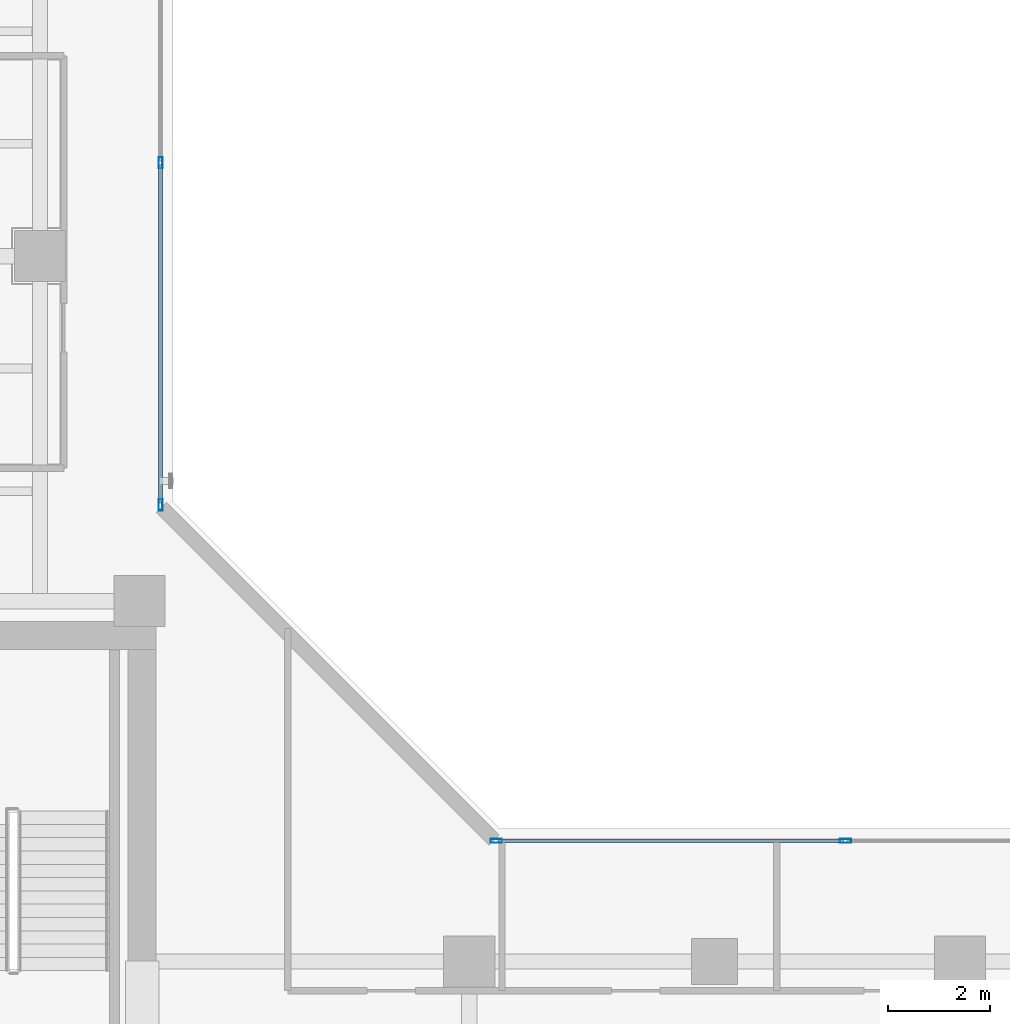
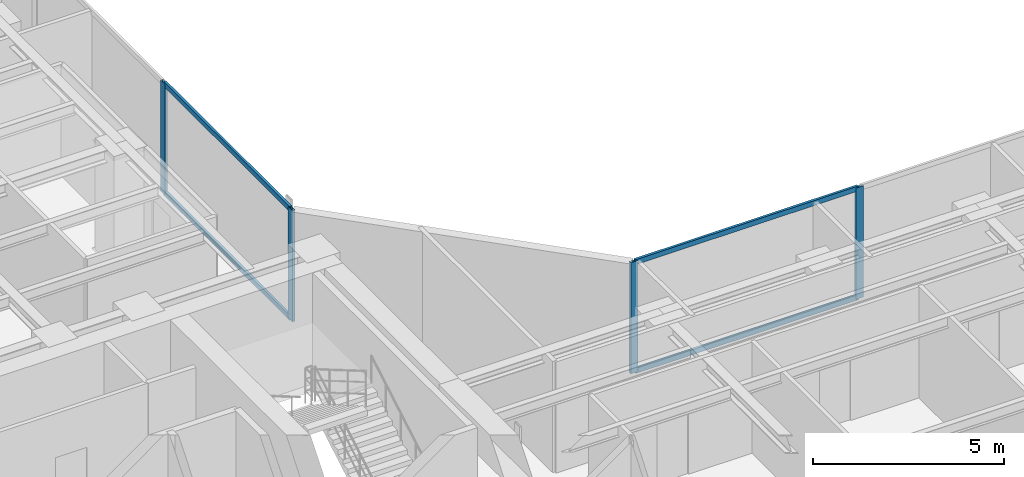
# One storey, part 10 of 23: 8 members, 2 elements without a shape of their own.
"""IFC4 building model written with IfcOpenShell, lengths in metres."""

from ifc_helpers import new_model, si_unit, direction, frame, origin, origin_with_axes, origin_2d, place, context, subcontext, project, spatial, hollow_rectangle, extrude, source, transform, mapped, material, layer, layer_set, material_profile, profile_set, type_object, element, aggregate, save


model = new_model("IFC4")

# Units and contexts
model_context = context("Model", 3, precision=1e-05, world=origin(), true_north=direction((0.0, 1.0)))
body_context = subcontext(model_context, "Body", "Model", "MODEL_VIEW")
ifc_project = project(units=[si_unit("LENGTHUNIT", "METRE"), si_unit("AREAUNIT", "SQUARE_METRE"), si_unit("VOLUMEUNIT", "CUBIC_METRE"), si_unit("PLANEANGLEUNIT", "RADIAN"), si_unit("MASSUNIT", "GRAM", prefix="KILO")], contexts=[model_context])

# Site, building, storey
site_placement = place(None, origin())
site = spatial("IfcSite", under=ifc_project, at=site_placement, CompositionType="ELEMENT")
building_placement = place(site_placement, origin())
building = spatial("IfcBuilding", under=site, at=building_placement, Name="Kolvaren Waterfront Exchange", CompositionType="ELEMENT")
storey_placement = place(building_placement, frame((0.0, 0.0, 215.89990234375)))
storey = spatial("IfcBuildingStorey", under=building, at=storey_placement, Name="L55", CompositionType="ELEMENT", Elevation=215.89990234375)

# Curtain wall, members
ifc_material_1 = material(Name="Anodised bronze aluminium 6063-T6", Category="aluminium")
ifc_layer = layer(ifc_material_1, 0.219970703125, Name="Anodised bronze aluminium 6063-T6")
ifc_layer_set = layer_set([ifc_layer], Name="Anodised bronze aluminium 6063-T6")
curtain_wall_type = type_object("IfcCurtainWallType", Name="ARC-CW-SYS1", PredefinedType="USERDEFINED", material=ifc_layer_set)
curtain_wall_1_placement = place(storey_placement, origin())
curtain_wall_1 = element("IfcCurtainWall", 1, at=curtain_wall_1_placement, inside=storey, type_object=curtain_wall_type, Name="L55 stick curtain wall CW1 (CW-L55-NE)", ObjectType="STICK CURTAIN WALL", PredefinedType="USERDEFINED")
ifc_material_2 = material(Name="Anodised aluminium 6063-T6", Category="aluminium")
ifc_material_profile_1 = material_profile(ifc_material_2, hollow_rectangle(XDim=0.080078125, YDim=0.219970703125, WallThickness=0.0048828125, at=origin_2d()), Name="ALU-MUL-220x80x5")
ifc_profile_set_1 = profile_set([ifc_material_profile_1], Name="Anodised aluminium 6063-T6")
member_type_1 = type_object("IfcMemberType", Name="ARC-CWM-220", PredefinedType="MULLION", material=ifc_profile_set_1)
shared_shape_1 = source(origin_with_axes(), body_context, "Body", "SweptSolid", [
    extrude(hollow_rectangle(XDim=0.080078125, YDim=0.219970703125, WallThickness=0.0048828125, at=origin_2d()), origin(), (0.0, 0.0, 1.0), 3.56005859375),
])
member_1_placement = place(storey_placement, frame((21.159912109375, 26.330078125, 0.0), z_axis=(0.0, 0.0, 1.0), x_axis=(-1.0, 0.0, 0.0)))
member_1 = element("IfcMember", 2, at=member_1_placement, type_object=member_type_1, Name="CW1 mullion 1", PredefinedType="MULLION", context=body_context, shape_type="MappedRepresentation", body=[
    mapped(shared_shape_1, transform((0.0, 0.0, 0.0), x_axis=(1.0, 0.0, 0.0), y_axis=(0.0, 1.0, 0.0), z_axis=(0.0, 0.0, 1.0), scale=1.0)),
])
member_2_placement = place(storey_placement, frame((21.159912109375, 33.026611328125, 0.0), z_axis=(0.0, 0.0, 1.0), x_axis=(-1.0, 0.0, 0.0)))
member_2 = element("IfcMember", 3, at=member_2_placement, type_object=member_type_1, Name="CW1 mullion 2", PredefinedType="MULLION", context=body_context, shape_type="MappedRepresentation", body=[
    mapped(shared_shape_1, transform((0.0, 0.0, 0.0), x_axis=(1.0, 0.0, 0.0), y_axis=(0.0, 1.0, 0.0), z_axis=(0.0, 0.0, 1.0), scale=1.0)),
])

curtain_wall_2_placement = place(storey_placement, origin())
curtain_wall_2 = element("IfcCurtainWall", 4, at=curtain_wall_2_placement, inside=storey, type_object=curtain_wall_type, Name="L55 stick curtain wall CW1 (CW-L55-EN)", ObjectType="STICK CURTAIN WALL", PredefinedType="USERDEFINED")
member_3_placement = place(storey_placement, frame((27.72998046875, 19.760009765625, 0.0), z_axis=(0.0, 0.0, 1.0), x_axis=(0.0, 1.0, 0.0)))
member_3 = element("IfcMember", 5, at=member_3_placement, type_object=member_type_1, Name="CW1 mullion 1", PredefinedType="MULLION", context=body_context, shape_type="MappedRepresentation", body=[
    mapped(shared_shape_1, transform((0.0, 0.0, 0.0), x_axis=(1.0, 0.0, 0.0), y_axis=(0.0, 1.0, 0.0), z_axis=(0.0, 0.0, 1.0), scale=1.0)),
])
member_4_placement = place(storey_placement, frame((34.56005859375, 19.760009765625, 0.0), z_axis=(0.0, 0.0, 1.0), x_axis=(0.0, 1.0, 0.0)))
member_4 = element("IfcMember", 6, at=member_4_placement, type_object=member_type_1, Name="CW1 mullion 2", PredefinedType="MULLION", context=body_context, shape_type="MappedRepresentation", body=[
    mapped(shared_shape_1, transform((0.0, 0.0, 0.0), x_axis=(1.0, 0.0, 0.0), y_axis=(0.0, 1.0, 0.0), z_axis=(0.0, 0.0, 1.0), scale=1.0)),
])

# Member
ifc_material_profile_2 = material_profile(ifc_material_2, hollow_rectangle(XDim=0.074951171875, YDim=0.159912109375, WallThickness=0.00439453125, at=origin_2d()), Name="ALU-TRN-160x75x4.5")
ifc_profile_set_2 = profile_set([ifc_material_profile_2], Name="Anodised aluminium 6063-T6")
member_type_2 = type_object("IfcMemberType", Name="ARC-CWT-160", PredefinedType="USERDEFINED", material=ifc_profile_set_2)
shared_shape_2 = source(origin_with_axes(), body_context, "Body", "SweptSolid", [
    extrude(hollow_rectangle(XDim=0.074951171875, YDim=0.159912109375, WallThickness=0.00439453125, at=origin_2d()), origin(), (0.0, 0.0, 1.0), 6.616455078125),
])
member_5_placement = place(storey_placement, frame((21.159912109375, 26.3701171875, 0.03759765625), z_axis=(0.0, 1.0, 0.0), x_axis=(-1.0, 0.0, 0.0)))
member_5 = element("IfcMember", 7, at=member_5_placement, type_object=member_type_2, Name="CW1 transom 1.1", ObjectType="TRANSOM", PredefinedType="USERDEFINED", context=body_context, shape_type="MappedRepresentation", body=[
    mapped(shared_shape_2, transform((0.0, 0.0, 0.0), x_axis=(1.0, 0.0, 0.0), y_axis=(0.0, 1.0, 0.0), z_axis=(0.0, 0.0, 1.0), scale=1.0)),
])

member_6_placement = place(storey_placement, frame((21.159912109375, 26.3701171875, 3.522705078125), z_axis=(0.0, 1.0, 0.0), x_axis=(-1.0, 0.0, 0.0)))
member_6 = element("IfcMember", 8, at=member_6_placement, type_object=member_type_2, Name="CW1 transom 1.2", ObjectType="TRANSOM", PredefinedType="USERDEFINED", context=body_context, shape_type="MappedRepresentation", body=[
    mapped(shared_shape_2, transform((0.0, 0.0, 0.0), x_axis=(1.0, 0.0, 0.0), y_axis=(0.0, 1.0, 0.0), z_axis=(0.0, 0.0, 1.0), scale=1.0)),
])

aggregate(curtain_wall_1, [member_1, member_2, member_5, member_6])

shared_shape_3 = source(origin_with_axes(), body_context, "Body", "SweptSolid", [
    extrude(hollow_rectangle(XDim=0.074951171875, YDim=0.159912109375, WallThickness=0.00439453125, at=origin_2d()), origin(), (0.0, 0.0, 1.0), 6.75),
])
member_7_placement = place(storey_placement, frame((27.77001953125, 19.760009765625, 0.03759765625), z_axis=(1.0, 0.0, 0.0), x_axis=(0.0, 1.0, 0.0)))
member_7 = element("IfcMember", 9, at=member_7_placement, type_object=member_type_2, Name="CW1 transom 1.1", ObjectType="TRANSOM", PredefinedType="USERDEFINED", context=body_context, shape_type="MappedRepresentation", body=[
    mapped(shared_shape_3, transform((0.0, 0.0, 0.0), x_axis=(1.0, 0.0, 0.0), y_axis=(0.0, 1.0, 0.0), z_axis=(0.0, 0.0, 1.0), scale=1.0)),
])

member_8_placement = place(storey_placement, frame((27.77001953125, 19.760009765625, 3.522705078125), z_axis=(1.0, 0.0, 0.0), x_axis=(0.0, 1.0, 0.0)))
member_8 = element("IfcMember", 10, at=member_8_placement, type_object=member_type_2, Name="CW1 transom 1.2", ObjectType="TRANSOM", PredefinedType="USERDEFINED", context=body_context, shape_type="MappedRepresentation", body=[
    mapped(shared_shape_3, transform((0.0, 0.0, 0.0), x_axis=(1.0, 0.0, 0.0), y_axis=(0.0, 1.0, 0.0), z_axis=(0.0, 0.0, 1.0), scale=1.0)),
])

aggregate(curtain_wall_2, [member_3, member_4, member_7, member_8])

save(model, "model.ifc")
